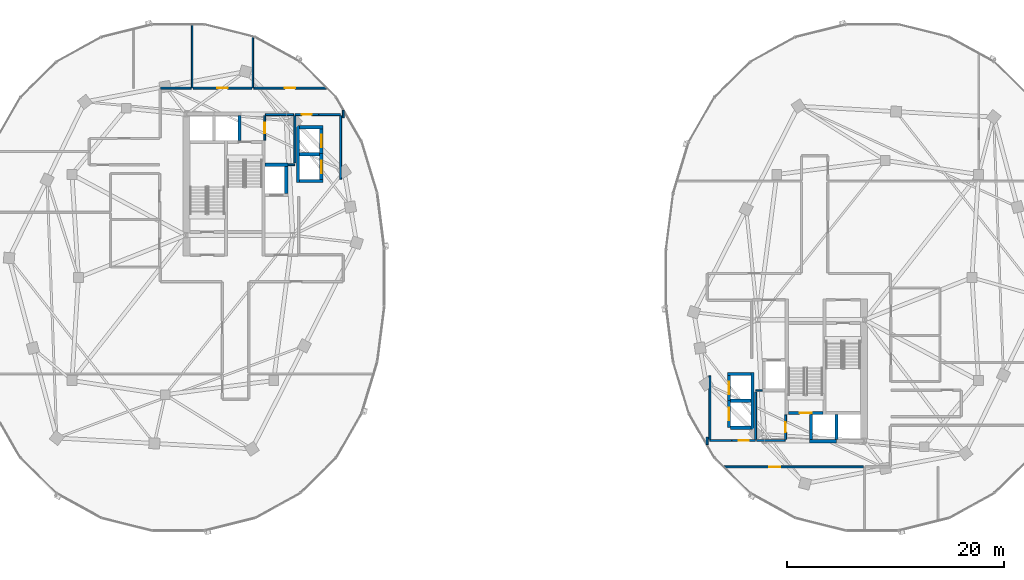
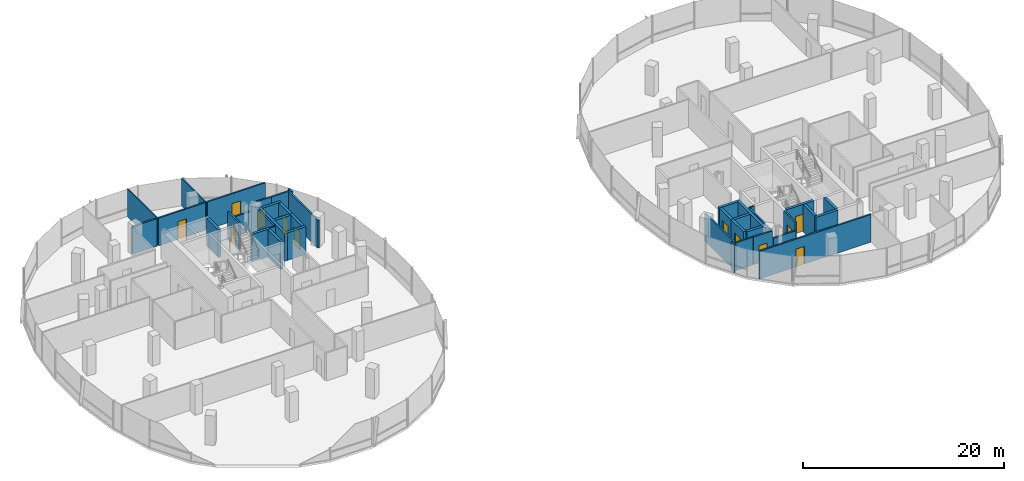
# One storey, part 13 of 22: 41 walls, 12 doors, 12 openings.
"""IFC4 building model written with IfcOpenShell, lengths in metres."""

from ifc_helpers import new_model, si_unit, direction, frame, frame_2d, origin, place, context, subcontext, project, spatial, rectangle, extrude, material, layer, layer_set, type_object, element, fill, save


model = new_model("IFC4")

# Units and contexts
model_context = context("Model", 3, precision=1e-05, world=origin(), true_north=direction((0.0, 1.0)))
body_context = subcontext(model_context, "Body", "Model", "MODEL_VIEW")
ifc_project = project(units=[si_unit("LENGTHUNIT", "METRE"), si_unit("AREAUNIT", "SQUARE_METRE"), si_unit("VOLUMEUNIT", "CUBIC_METRE"), si_unit("PLANEANGLEUNIT", "RADIAN"), si_unit("MASSUNIT", "GRAM", prefix="KILO"), si_unit("THERMODYNAMICTEMPERATUREUNIT", "KELVIN"), si_unit("POWERUNIT", "WATT")], contexts=[model_context])

# Site, building, storey
site_placement = place(None, origin())
site = spatial("IfcSite", under=ifc_project, at=site_placement, CompositionType="ELEMENT")
building_placement = place(site_placement, origin())
building = spatial("IfcBuilding", under=site, at=building_placement, Name="Cundina Bronze Exchange", CompositionType="ELEMENT")
storey_placement = place(building_placement, frame((0.0, 0.0, 158.39990234375)))
storey = spatial("IfcBuildingStorey", under=building, at=storey_placement, Name="L41", CompositionType="ELEMENT", Elevation=158.39990234375)

# Wall
ifc_material_1 = material(Name="Gypsum Fireboard Partition EI120")
ifc_layer_1 = layer(ifc_material_1, 0.179931640625, Name="Gypsum Fireboard Partition EI120")
ifc_layer_set_1 = layer_set([ifc_layer_1], Name="Gypsum Fireboard Partition EI120")
wall_type_1 = type_object("IfcWallType", Name="WL-COR-180", PredefinedType="PARTITIONING", material=ifc_layer_set_1)
wall_1_placement = place(storey_placement, frame((-17.02001953125, 9.070068359375, 0.0), z_axis=(0.0, 0.0, 1.0), x_axis=(0.0, 1.0, 0.0)))
element("IfcWall", 1, at=wall_1_placement, inside=storey, type_object=wall_type_1, Name="L41 Interior Partition 001", PredefinedType="PARTITIONING", context=body_context, shape_type="SweptSolid", body=[
    extrude(rectangle(XDim=5.85986328125, YDim=0.179931640625, at=frame_2d((2.929931640625, 0.0))), origin(), (0.0, 0.0, 1.0), 3.360107421875),
])

# Wall, opening, door
wall_2_placement = place(storey_placement, frame((-21.22998046875, 15.030029296875, 0.0), z_axis=(0.0, 0.0, 1.0), x_axis=(1.0, 0.0, 0.0)))
wall_2 = element("IfcWall", 2, at=wall_2_placement, inside=storey, type_object=wall_type_1, Name="L41 Interior Partition 002", PredefinedType="PARTITIONING", context=body_context, shape_type="SweptSolid", body=[
    extrude(rectangle(XDim=2.159912109375, YDim=0.179931640625, at=frame_2d((1.080078125, 0.0))), origin(), (0.0, 0.0, 1.0), 3.360107421875),
])
opening_1_placement = place(wall_2_placement, frame((0.60498046875, 0.0, 0.0)))
opening_1 = element("IfcOpeningElement", 3, at=opening_1_placement, cuts=wall_2, Name="Opening DW-01", PredefinedType="OPENING", context=body_context, shape_type="SweptSolid", body=[
    extrude(rectangle(XDim=0.949951171875, YDim=2.10009765625, at=frame_2d((0.47509765625, 1.050048828125))), frame((0.0, 0.099853515625, 0.0), z_axis=(0.0, -1.0, 0.0), x_axis=(1.0, 0.0, 0.0)), (0.0, 0.0, 1.0), 0.199951171875),
])
ifc_material_2 = material(Name="Solid Andean Oak Timber Grade A", Category="wood")
door_type_1 = type_object("IfcDoorType", Name="DR-WC-950", OperationType="NOTDEFINED", PredefinedType="DOOR", material=ifc_material_2)
door_1_placement = place(opening_1_placement, origin())
door_1 = element("IfcDoor", 4, at=door_1_placement, inside=storey, type_object=door_type_1, Name="L41 Interior Door 002", OperationType="SINGLE_SWING_LEFT", OverallHeight=2.10009765625, OverallWidth=0.949951171875, PredefinedType="DOOR", context=body_context, shape_type="SweptSolid", body=[
    extrude(rectangle(XDim=0.949951171875, YDim=2.10009765625, at=frame_2d((0.47509765625, 1.050048828125))), frame((0.0, 0.02490234375, 0.0), z_axis=(0.0, -1.0, 0.0), x_axis=(1.0, 0.0, 0.0)), (0.0, 0.0, 1.0), 0.050048828125),
])
fill(opening_1, door_1)

# Walls
wall_3_placement = place(storey_placement, frame((-19.030029296875, 15.030029296875, 0.0), z_axis=(0.0, 0.0, 1.0), x_axis=(1.0, 0.0, 0.0)))
element("IfcWall", 5, at=wall_3_placement, inside=storey, type_object=wall_type_1, Name="L41 Interior Partition 003", PredefinedType="PARTITIONING", context=body_context, shape_type="SweptSolid", body=[
    extrude(rectangle(XDim=1.989990234375, YDim=0.179931640625, at=frame_2d((0.9951171875, 0.0))), origin(), (0.0, 0.0, 1.0), 3.360107421875),
])
wall_4_placement = place(storey_placement, frame((-21.25, 10.570068359375, 0.0), z_axis=(0.0, 0.0, 1.0), x_axis=(0.0, 1.0, 0.0)))
element("IfcWall", 6, at=wall_4_placement, inside=storey, type_object=wall_type_1, Name="L41 Interior Partition 005", PredefinedType="PARTITIONING", context=body_context, shape_type="SweptSolid", body=[
    extrude(rectangle(XDim=4.35986328125, YDim=0.179931640625, at=frame_2d((2.179931640625, 0.0))), origin(), (0.0, 0.0, 1.0), 3.360107421875),
])
wall_5_placement = place(storey_placement, frame((-23.9599609375, 15.030029296875, 0.0), z_axis=(0.0, 0.0, 1.0), x_axis=(1.0, 0.0, 0.0)))
element("IfcWall", 7, at=wall_5_placement, inside=storey, type_object=wall_type_1, Name="L41 Interior Partition 006", PredefinedType="PARTITIONING", context=body_context, shape_type="SweptSolid", body=[
    extrude(rectangle(XDim=2.60986328125, YDim=0.179931640625, at=frame_2d((1.304931640625, 0.0))), origin(), (0.0, 0.0, 1.0), 2.43310546875),
])

# Wall, opening, door
wall_6_placement = place(storey_placement, frame((-24.02001953125, 12.669921875, 0.0), z_axis=(0.0, 0.0, 1.0), x_axis=(0.0, 1.0, 0.0)))
wall_6 = element("IfcWall", 8, at=wall_6_placement, inside=storey, type_object=wall_type_1, Name="L41 Interior Partition 007", PredefinedType="PARTITIONING", context=body_context, shape_type="SweptSolid", body=[
    extrude(rectangle(XDim=2.260009765625, YDim=0.179931640625, at=frame_2d((1.1298828125, 0.0))), origin(), (0.0, 0.0, 1.0), 3.360107421875),
])
opening_2_placement = place(wall_6_placement, frame((0.655029296875, 0.0, 0.0)))
opening_2 = element("IfcOpeningElement", 9, at=opening_2_placement, cuts=wall_6, Name="Opening DW-01", PredefinedType="OPENING", context=body_context, shape_type="SweptSolid", body=[
    extrude(rectangle(XDim=0.949951171875, YDim=2.10009765625, at=frame_2d((0.47509765625, 1.050048828125))), frame((0.0, 0.099853515625, 0.0), z_axis=(0.0, -1.0, 0.0), x_axis=(1.0, 0.0, 0.0)), (0.0, 0.0, 1.0), 0.199951171875),
])
door_2_placement = place(opening_2_placement, origin())
door_2 = element("IfcDoor", 10, at=door_2_placement, inside=storey, type_object=door_type_1, Name="L41 Interior Door 007", OperationType="SINGLE_SWING_LEFT", OverallHeight=2.10009765625, OverallWidth=0.949951171875, PredefinedType="DOOR", context=body_context, shape_type="SweptSolid", body=[
    extrude(rectangle(XDim=0.949951171875, YDim=2.10009765625, at=frame_2d((0.47509765625, 1.050048828125))), frame((0.0, 0.02490234375, 0.0), z_axis=(0.0, -1.0, 0.0), x_axis=(1.0, 0.0, 0.0)), (0.0, 0.0, 1.0), 0.050048828125),
])
fill(opening_2, door_2)

# Walls
wall_7_placement = place(storey_placement, frame((-16.780029296875, 14.721435546875, 0.0), z_axis=(0.0, 0.0, 1.0), x_axis=(0.0, 1.0, 0.0)))
element("IfcWall", 11, at=wall_7_placement, inside=storey, type_object=wall_type_1, Name="L41 Interior Partition 033", PredefinedType="PARTITIONING", context=body_context, shape_type="SweptSolid", body=[
    extrude(rectangle(XDim=0.68359375, YDim=0.179931640625, at=frame_2d((0.341796875, 0.0))), origin(), (0.0, 0.0, 1.0), 3.360107421875),
])
wall_8_placement = place(storey_placement, frame((-30.81005859375, 17.469970703125, 0.0), z_axis=(0.0, 0.0, 1.0), x_axis=(-1.0, 0.0, 0.0)))
element("IfcWall", 12, at=wall_8_placement, inside=storey, type_object=wall_type_1, Name="L41 Interior Partition 038", PredefinedType="PARTITIONING", context=body_context, shape_type="SweptSolid", body=[
    extrude(rectangle(XDim=2.818359375, YDim=0.179931640625, at=frame_2d((1.4091796875, 0.0))), origin(), (0.0, 0.0, 1.0), 3.360107421875),
])

# Wall, opening, door
wall_9_placement = place(storey_placement, frame((-18.341796875, 17.469970703125, 0.0), z_axis=(0.0, 0.0, 1.0), x_axis=(-1.0, 0.0, 0.0)))
wall_9 = element("IfcWall", 13, at=wall_9_placement, inside=storey, type_object=wall_type_1, Name="L41 Interior Partition 040", PredefinedType="PARTITIONING", context=body_context, shape_type="SweptSolid", body=[
    extrude(rectangle(XDim=6.688232421875, YDim=0.179931640625, at=frame_2d((3.34423828125, 0.0))), origin(), (0.0, 0.0, 1.0), 3.360107421875),
])
opening_3_placement = place(wall_9_placement, frame((2.84423828125, 0.0, 0.0)))
opening_3 = element("IfcOpeningElement", 14, at=opening_3_placement, cuts=wall_9, Name="Opening DO-01", PredefinedType="OPENING", context=body_context, shape_type="SweptSolid", body=[
    extrude(rectangle(XDim=1.0, YDim=2.14990234375, at=frame_2d((0.5, 1.074951171875))), frame((0.0, 0.099853515625, 0.0), z_axis=(0.0, -1.0, 0.0), x_axis=(1.0, 0.0, 0.0)), (0.0, 0.0, 1.0), 0.199951171875),
])
door_type_2 = type_object("IfcDoorType", Name="DR-OFF-1000", OperationType="NOTDEFINED", PredefinedType="DOOR", material=ifc_material_2)
door_3_placement = place(opening_3_placement, origin())
door_3 = element("IfcDoor", 15, at=door_3_placement, inside=storey, type_object=door_type_2, Name="L41 Interior Door 040", OperationType="SINGLE_SWING_LEFT", OverallHeight=2.14990234375, OverallWidth=1.0, PredefinedType="DOOR", context=body_context, shape_type="SweptSolid", body=[
    extrude(rectangle(XDim=1.0, YDim=2.14990234375, at=frame_2d((0.5, 1.074951171875))), frame((0.0, 0.02490234375, 0.0), z_axis=(0.0, -1.0, 0.0), x_axis=(1.0, 0.0, 0.0)), (0.0, 0.0, 1.0), 0.050048828125),
])
fill(opening_3, door_3)

wall_10_placement = place(storey_placement, frame((-25.2099609375, 17.469970703125, 0.0), z_axis=(0.0, 0.0, 1.0), x_axis=(-1.0, 0.0, 0.0)))
wall_10 = element("IfcWall", 16, at=wall_10_placement, inside=storey, type_object=wall_type_1, Name="L41 Interior Partition 041", PredefinedType="PARTITIONING", context=body_context, shape_type="SweptSolid", body=[
    extrude(rectangle(XDim=5.419921875, YDim=0.179931640625, at=frame_2d((2.7099609375, 0.0))), origin(), (0.0, 0.0, 1.0), 3.360107421875),
])
opening_4_placement = place(wall_10_placement, frame((2.2099609375, 0.0, 0.0)))
opening_4 = element("IfcOpeningElement", 17, at=opening_4_placement, cuts=wall_10, Name="Opening DO-01", PredefinedType="OPENING", context=body_context, shape_type="SweptSolid", body=[
    extrude(rectangle(XDim=1.0, YDim=2.14990234375, at=frame_2d((0.5, 1.074951171875))), frame((0.0, 0.099853515625, 0.0), z_axis=(0.0, -1.0, 0.0), x_axis=(1.0, 0.0, 0.0)), (0.0, 0.0, 1.0), 0.199951171875),
])
door_4_placement = place(opening_4_placement, origin())
door_4 = element("IfcDoor", 18, at=door_4_placement, inside=storey, type_object=door_type_2, Name="L41 Interior Door 041", OperationType="SINGLE_SWING_LEFT", OverallHeight=2.14990234375, OverallWidth=1.0, PredefinedType="DOOR", context=body_context, shape_type="SweptSolid", body=[
    extrude(rectangle(XDim=1.0, YDim=2.14990234375, at=frame_2d((0.5, 1.074951171875))), frame((0.0, 0.02490234375, 0.0), z_axis=(0.0, -1.0, 0.0), x_axis=(1.0, 0.0, 0.0)), (0.0, 0.0, 1.0), 0.050048828125),
])
fill(opening_4, door_4)

# Walls
wall_11_placement = place(storey_placement, frame((17.02001953125, -14.929931640625, 0.0), z_axis=(0.0, 0.0, 1.0), x_axis=(0.0, 1.0, 0.0)))
element("IfcWall", 19, at=wall_11_placement, inside=storey, type_object=wall_type_1, Name="L41 Interior Partition 042", PredefinedType="PARTITIONING", context=body_context, shape_type="SweptSolid", body=[
    extrude(rectangle(XDim=5.85986328125, YDim=0.179931640625, at=frame_2d((2.929931640625, 0.0))), origin(), (0.0, 0.0, 1.0), 3.360107421875),
])
wall_12_placement = place(storey_placement, frame((17.0400390625, -15.030029296875, 0.0), z_axis=(0.0, 0.0, 1.0), x_axis=(1.0, 0.0, 0.0)))
element("IfcWall", 20, at=wall_12_placement, inside=storey, type_object=wall_type_1, Name="L41 Interior Partition 043", PredefinedType="PARTITIONING", context=body_context, shape_type="SweptSolid", body=[
    extrude(rectangle(XDim=1.989990234375, YDim=0.179931640625, at=frame_2d((0.9951171875, 0.0))), origin(), (0.0, 0.0, 1.0), 3.360107421875),
])

# Wall, opening, door
wall_13_placement = place(storey_placement, frame((21.22998046875, -15.030029296875, 0.0), z_axis=(0.0, 0.0, 1.0), x_axis=(-1.0, 0.0, 0.0)))
wall_13 = element("IfcWall", 21, at=wall_13_placement, inside=storey, type_object=wall_type_1, Name="L41 Interior Partition 044", PredefinedType="PARTITIONING", context=body_context, shape_type="SweptSolid", body=[
    extrude(rectangle(XDim=2.159912109375, YDim=0.179931640625, at=frame_2d((1.080078125, 0.0))), origin(), (0.0, 0.0, 1.0), 3.360107421875),
])
opening_5_placement = place(wall_13_placement, frame((0.60498046875, 0.0, 0.0)))
opening_5 = element("IfcOpeningElement", 22, at=opening_5_placement, cuts=wall_13, Name="Opening DW-01", PredefinedType="OPENING", context=body_context, shape_type="SweptSolid", body=[
    extrude(rectangle(XDim=0.949951171875, YDim=2.10009765625, at=frame_2d((0.47509765625, 1.050048828125))), frame((0.0, 0.099853515625, 0.0), z_axis=(0.0, -1.0, 0.0), x_axis=(1.0, 0.0, 0.0)), (0.0, 0.0, 1.0), 0.199951171875),
])
door_5_placement = place(opening_5_placement, origin())
door_5 = element("IfcDoor", 23, at=door_5_placement, inside=storey, type_object=door_type_1, Name="L41 Interior Door 044", OperationType="SINGLE_SWING_RIGHT", OverallHeight=2.10009765625, OverallWidth=0.949951171875, PredefinedType="DOOR", context=body_context, shape_type="SweptSolid", body=[
    extrude(rectangle(XDim=0.949951171875, YDim=2.10009765625, at=frame_2d((0.47509765625, 1.050048828125))), frame((0.0, 0.02490234375, 0.0), z_axis=(0.0, -1.0, 0.0), x_axis=(1.0, 0.0, 0.0)), (0.0, 0.0, 1.0), 0.050048828125),
])
fill(opening_5, door_5)

# Walls
wall_14_placement = place(storey_placement, frame((21.25, -14.929931640625, 0.0), z_axis=(0.0, 0.0, 1.0), x_axis=(0.0, 1.0, 0.0)))
element("IfcWall", 24, at=wall_14_placement, inside=storey, type_object=wall_type_1, Name="L41 Interior Partition 046", PredefinedType="PARTITIONING", context=body_context, shape_type="SweptSolid", body=[
    extrude(rectangle(XDim=4.35986328125, YDim=0.179931640625, at=frame_2d((2.179931640625, 0.0))), origin(), (0.0, 0.0, 1.0), 3.360107421875),
])
wall_15_placement = place(storey_placement, frame((21.35009765625, -15.030029296875, 0.0), z_axis=(0.0, 0.0, 1.0), x_axis=(1.0, 0.0, 0.0)))
element("IfcWall", 25, at=wall_15_placement, inside=storey, type_object=wall_type_1, Name="L41 Interior Partition 047", PredefinedType="PARTITIONING", context=body_context, shape_type="SweptSolid", body=[
    extrude(rectangle(XDim=2.60986328125, YDim=0.179931640625, at=frame_2d((1.304931640625, 0.0))), origin(), (0.0, 0.0, 1.0), 2.43310546875),
])

# Wall, opening, door
wall_16_placement = place(storey_placement, frame((24.02001953125, -14.929931640625, 0.0), z_axis=(0.0, 0.0, 1.0), x_axis=(0.0, 1.0, 0.0)))
wall_16 = element("IfcWall", 26, at=wall_16_placement, inside=storey, type_object=wall_type_1, Name="L41 Interior Partition 048", PredefinedType="PARTITIONING", context=body_context, shape_type="SweptSolid", body=[
    extrude(rectangle(XDim=2.260009765625, YDim=0.179931640625, at=frame_2d((1.1298828125, 0.0))), origin(), (0.0, 0.0, 1.0), 3.360107421875),
])
opening_6_placement = place(wall_16_placement, frame((0.655029296875, 0.0, 0.0)))
opening_6 = element("IfcOpeningElement", 27, at=opening_6_placement, cuts=wall_16, Name="Opening DW-01", PredefinedType="OPENING", context=body_context, shape_type="SweptSolid", body=[
    extrude(rectangle(XDim=0.949951171875, YDim=2.10009765625, at=frame_2d((0.47509765625, 1.050048828125))), frame((0.0, 0.099853515625, 0.0), z_axis=(0.0, -1.0, 0.0), x_axis=(1.0, 0.0, 0.0)), (0.0, 0.0, 1.0), 0.199951171875),
])
door_6_placement = place(opening_6_placement, origin())
door_6 = element("IfcDoor", 28, at=door_6_placement, inside=storey, type_object=door_type_1, Name="L41 Interior Door 048", OperationType="SINGLE_SWING_RIGHT", OverallHeight=2.10009765625, OverallWidth=0.949951171875, PredefinedType="DOOR", context=body_context, shape_type="SweptSolid", body=[
    extrude(rectangle(XDim=0.949951171875, YDim=2.10009765625, at=frame_2d((0.47509765625, 1.050048828125))), frame((0.0, 0.02490234375, 0.0), z_axis=(0.0, -1.0, 0.0), x_axis=(1.0, 0.0, 0.0)), (0.0, 0.0, 1.0), 0.050048828125),
])
fill(opening_6, door_6)

wall_17_placement = place(storey_placement, frame((18.341796875, -17.469970703125, 0.0), z_axis=(0.0, 0.0, 1.0), x_axis=(1.0, 0.0, 0.0)))
wall_17 = element("IfcWall", 29, at=wall_17_placement, inside=storey, type_object=wall_type_1, Name="L41 Interior Partition 064", PredefinedType="PARTITIONING", context=body_context, shape_type="SweptSolid", body=[
    extrude(rectangle(XDim=12.84814453125, YDim=0.179931640625, at=frame_2d((6.424072265625, 0.0))), origin(), (0.0, 0.0, 1.0), 3.360107421875),
])
opening_7_placement = place(wall_17_placement, frame((4.182861328125, 0.0, 0.0)))
opening_7 = element("IfcOpeningElement", 30, at=opening_7_placement, cuts=wall_17, Name="Opening DO-01", PredefinedType="OPENING", context=body_context, shape_type="SweptSolid", body=[
    extrude(rectangle(XDim=1.0, YDim=2.14990234375, at=frame_2d((0.5, 1.074951171875))), frame((0.0, 0.099853515625, 0.0), z_axis=(0.0, -1.0, 0.0), x_axis=(1.0, 0.0, 0.0)), (0.0, 0.0, 1.0), 0.199951171875),
])
door_7_placement = place(opening_7_placement, origin())
door_7 = element("IfcDoor", 31, at=door_7_placement, inside=storey, type_object=door_type_2, Name="L41 Interior Door 064", OperationType="SINGLE_SWING_LEFT", OverallHeight=2.14990234375, OverallWidth=1.0, PredefinedType="DOOR", context=body_context, shape_type="SweptSolid", body=[
    extrude(rectangle(XDim=1.0, YDim=2.14990234375, at=frame_2d((0.5, 1.074951171875))), frame((0.0, 0.02490234375, 0.0), z_axis=(0.0, -1.0, 0.0), x_axis=(1.0, 0.0, 0.0)), (0.0, 0.0, 1.0), 0.050048828125),
])
fill(opening_7, door_7)

# Walls
wall_18_placement = place(storey_placement, frame((16.780029296875, -14.721435546875, 0.0), z_axis=(0.0, 0.0, 1.0), x_axis=(0.0, -1.0, 0.0)))
element("IfcWall", 32, at=wall_18_placement, inside=storey, type_object=wall_type_1, Name="L41 Interior Partition 074", PredefinedType="PARTITIONING", context=body_context, shape_type="SweptSolid", body=[
    extrude(rectangle(XDim=0.68359375, YDim=0.179931640625, at=frame_2d((0.341796875, 0.0))), origin(), (0.0, 0.0, 1.0), 3.360107421875),
])
ifc_material_3 = material(Name="Gypsum Acoustic Partition EI60")
ifc_layer_2 = layer(ifc_material_3, 0.125, Name="Gypsum Acoustic Partition EI60")
ifc_layer_set_2 = layer_set([ifc_layer_2], Name="Gypsum Acoustic Partition EI60")
wall_type_2 = type_object("IfcWallType", Name="WL-OFF-125", PredefinedType="PARTITIONING", material=ifc_layer_set_2)
wall_19_placement = place(storey_placement, frame((-30.719970703125, 17.5, 0.0), z_axis=(0.0, 0.0, 1.0), x_axis=(0.0, 1.0, 0.0)))
element("IfcWall", 33, at=wall_19_placement, inside=storey, type_object=wall_type_2, Name="L41 Interior Partition 021", PredefinedType="PARTITIONING", context=body_context, shape_type="SweptSolid", body=[
    extrude(rectangle(XDim=5.902099609375, YDim=0.125, at=frame_2d((2.951171875, 0.0))), origin(), (0.0, 0.0, 1.0), 3.360107421875),
])
wall_20_placement = place(storey_placement, frame((-25.1201171875, 17.5, 0.0), z_axis=(0.0, 0.0, 1.0), x_axis=(0.0, 1.0, 0.0)))
element("IfcWall", 34, at=wall_20_placement, inside=storey, type_object=wall_type_2, Name="L41 Interior Partition 022", PredefinedType="PARTITIONING", context=body_context, shape_type="SweptSolid", body=[
    extrude(rectangle(XDim=4.791015625, YDim=0.125, at=frame_2d((2.3955078125, 0.0))), origin(), (0.0, 0.0, 1.0), 3.360107421875),
])
ifc_material_4 = material(Name="Concrete C50/60", Category="concrete")
ifc_layer_3 = layer(ifc_material_4, 0.300048828125, Name="Concrete C50/60", Category="concrete")
ifc_layer_set_3 = layer_set([ifc_layer_3], Name="Concrete C50/60")
wall_type_3 = type_object("IfcWallType", Name="WL-SHFT-300", PredefinedType="SHEAR", material=ifc_layer_set_3)
wall_21_placement = place(storey_placement, frame((-23.97998046875, 10.39990234375, 0.0), z_axis=(0.0, 0.0, 1.0), x_axis=(1.0, 0.0, 0.0)))
element("IfcWall", 35, at=wall_21_placement, inside=storey, type_object=wall_type_3, Name="L41 FFL-W Hoistway Back Wall", PredefinedType="SHEAR", context=body_context, shape_type="SweptSolid", body=[
    extrude(rectangle(XDim=2.10009765625, YDim=0.300048828125, at=frame_2d((1.050048828125, 0.0))), origin(), (0.0, 0.0, 1.0), 3.360107421875),
])
wall_22_placement = place(storey_placement, frame((-22.030029296875, 7.75, 0.0), z_axis=(0.0, 0.0, 1.0), x_axis=(0.0, 1.0, 0.0)))
element("IfcWall", 36, at=wall_22_placement, inside=storey, type_object=wall_type_3, Name="L41 FFL-W Hoistway Side Wall", PredefinedType="SHEAR", context=body_context, shape_type="SweptSolid", body=[
    extrude(rectangle(XDim=2.5, YDim=0.300048828125, at=frame_2d((1.25, 0.0))), origin(), (0.0, 0.0, 1.0), 3.360107421875),
])
wall_23_placement = place(storey_placement, frame((-26.35009765625, 12.64990234375, 0.0), z_axis=(0.0, 0.0, 1.0), x_axis=(0.0, 1.0, 0.0)))
element("IfcWall", 37, at=wall_23_placement, inside=storey, type_object=wall_type_3, Name="L41 PH-W2 Hoistway Divider Wall", PredefinedType="SHEAR", context=body_context, shape_type="SweptSolid", body=[
    extrude(rectangle(XDim=2.300048828125, YDim=0.300048828125, at=frame_2d((1.14990234375, 0.0))), origin(), (0.0, 0.0, 1.0), 3.360107421875),
])
wall_24_placement = place(storey_placement, frame((-20.949951171875, 8.75, 0.0), z_axis=(0.0, 0.0, 1.0), x_axis=(0.0, 1.0, 0.0)))
element("IfcWall", 38, at=wall_24_placement, inside=storey, type_object=wall_type_3, Name="L41 W Passenger Bank Hoistway Back Wall", PredefinedType="SHEAR", context=body_context, shape_type="SweptSolid", body=[
    extrude(rectangle(XDim=5.25, YDim=0.300048828125, at=frame_2d((2.625, 0.0))), origin(), (0.0, 0.0, 1.0), 3.360107421875),
])
for number, where, z_axis, x_axis, name in (
    (39, (-20.800048828125, 8.89990234375, 0.0), (0.0, 0.0, 1.0), (1.0, 0.0, 0.0), "L41 W Passenger Bank South Cap Wall"),
    (40, (-20.800048828125, 13.85009765625, 0.0), (0.0, 0.0, 1.0), (1.0, 0.0, 0.0), "L41 W Passenger Bank North Cap Wall"),
):
    element("IfcWall", number, at=place(storey_placement, frame(where, z_axis=z_axis, x_axis=x_axis)), inside=storey, type_object=wall_type_3, Name=name, PredefinedType="SHEAR", context=body_context, shape_type="SweptSolid", body=[
        extrude(rectangle(XDim=2.150146484375, YDim=0.300048828125, at=frame_2d((1.0751953125, 0.0))), origin(), (0.0, 0.0, 1.0), 3.360107421875),
    ])
wall_25_placement = place(storey_placement, frame((-20.800048828125, 11.375, 0.0), z_axis=(0.0, 0.0, 1.0), x_axis=(1.0, 0.0, 0.0)))
element("IfcWall", 41, at=wall_25_placement, inside=storey, type_object=wall_type_3, Name="L41 W Passenger Hoistway Divider 1", PredefinedType="SHEAR", context=body_context, shape_type="SweptSolid", body=[
    extrude(rectangle(XDim=1.85009765625, YDim=0.300048828125, at=frame_2d((0.925048828125, 0.0))), origin(), (0.0, 0.0, 1.0), 3.360107421875),
])

# Wall, opening, door
wall_26_placement = place(storey_placement, frame((-18.800048828125, 8.929931640625, 0.0), z_axis=(0.0, 0.0, 1.0), x_axis=(0.0, 1.0, 0.0)))
wall_26 = element("IfcWall", 42, at=wall_26_placement, inside=storey, type_object=wall_type_3, Name="L41 PM-W2 Hoistway Front Wall", PredefinedType="SHEAR", context=body_context, shape_type="SweptSolid", body=[
    extrude(rectangle(XDim=2.489990234375, YDim=0.300048828125, at=frame_2d((1.2451171875, 0.0))), origin(), (0.0, 0.0, 1.0), 3.360107421875),
])
opening_8_placement = place(wall_26_placement, frame((0.669921875, 0.0, 0.0)))
opening_8 = element("IfcOpeningElement", 43, at=opening_8_placement, cuts=wall_26, Name="Opening LD-01", PredefinedType="OPENING", context=body_context, shape_type="SweptSolid", body=[
    extrude(rectangle(XDim=1.14990234375, YDim=2.199951171875, at=frame_2d((0.574951171875, 1.10009765625))), frame((0.0, 0.159912109375, 0.0), z_axis=(0.0, -1.0, 0.0), x_axis=(1.0, 0.0, 0.0)), (0.0, 0.0, 1.0), 0.320068359375),
])
ifc_material_5 = material(Name="Steel ASTM A36 Painted", Category="steel")
door_type_3 = type_object("IfcDoorType", Name="DR-LND-1150", OperationType="NOTDEFINED", PredefinedType="TRAPDOOR", material=ifc_material_5)
door_8_placement = place(opening_8_placement, origin())
door_8 = element("IfcDoor", 44, at=door_8_placement, inside=storey, type_object=door_type_3, Name="L41 PM-W2 Sliding Landing Door", OperationType="SLIDING_TO_LEFT", OverallHeight=2.199951171875, OverallWidth=1.14990234375, PredefinedType="TRAPDOOR", context=body_context, shape_type="SweptSolid", body=[
    extrude(rectangle(XDim=1.14990234375, YDim=2.199951171875, at=frame_2d((0.574951171875, 1.10009765625))), frame((0.0, 0.02490234375, 0.0), z_axis=(0.0, -1.0, 0.0), x_axis=(1.0, 0.0, 0.0)), (0.0, 0.0, 1.0), 0.050048828125),
])
fill(opening_8, door_8)

wall_27_placement = place(storey_placement, frame((-18.800048828125, 11.330078125, 0.0), z_axis=(0.0, 0.0, 1.0), x_axis=(0.0, 1.0, 0.0)))
wall_27 = element("IfcWall", 45, at=wall_27_placement, inside=storey, type_object=wall_type_3, Name="L41 PM-W1 Hoistway Front Wall", PredefinedType="SHEAR", context=body_context, shape_type="SweptSolid", body=[
    extrude(rectangle(XDim=2.489990234375, YDim=0.300048828125, at=frame_2d((1.2451171875, 0.0))), origin(), (0.0, 0.0, 1.0), 3.360107421875),
])
opening_9_placement = place(wall_27_placement, frame((0.669921875, 0.0, 0.0)))
opening_9 = element("IfcOpeningElement", 46, at=opening_9_placement, cuts=wall_27, Name="Opening LD-01", PredefinedType="OPENING", context=body_context, shape_type="SweptSolid", body=[
    extrude(rectangle(XDim=1.14990234375, YDim=2.199951171875, at=frame_2d((0.574951171875, 1.10009765625))), frame((0.0, 0.159912109375, 0.0), z_axis=(0.0, -1.0, 0.0), x_axis=(1.0, 0.0, 0.0)), (0.0, 0.0, 1.0), 0.320068359375),
])
door_9_placement = place(opening_9_placement, origin())
door_9 = element("IfcDoor", 47, at=door_9_placement, inside=storey, type_object=door_type_3, Name="L41 PM-W1 Sliding Landing Door", OperationType="SLIDING_TO_LEFT", OverallHeight=2.199951171875, OverallWidth=1.14990234375, PredefinedType="TRAPDOOR", context=body_context, shape_type="SweptSolid", body=[
    extrude(rectangle(XDim=1.14990234375, YDim=2.199951171875, at=frame_2d((0.574951171875, 1.10009765625))), frame((0.0, 0.02490234375, 0.0), z_axis=(0.0, -1.0, 0.0), x_axis=(1.0, 0.0, 0.0)), (0.0, 0.0, 1.0), 0.050048828125),
])
fill(opening_9, door_9)

wall_28_placement = place(storey_placement, frame((24.280029296875, -12.5, 0.0), z_axis=(0.0, 0.0, 1.0), x_axis=(1.0, 0.0, 0.0)))
wall_28 = element("IfcWall", 48, at=wall_28_placement, inside=storey, type_object=wall_type_3, Name="L41 Stair E2 Landing Wall", PredefinedType="SHEAR", context=body_context, shape_type="SweptSolid", body=[
    extrude(rectangle(XDim=3.159912109375, YDim=0.300048828125, at=frame_2d((1.580078125, 0.0))), origin(), (0.0, 0.0, 1.0), 3.360107421875),
])
opening_10_placement = place(wall_28_placement, frame((1.030029296875, 0.0, 0.0)))
opening_10 = element("IfcOpeningElement", 49, at=opening_10_placement, cuts=wall_28, Name="Opening DS-01", PredefinedType="OPENING", context=body_context, shape_type="SweptSolid", body=[
    extrude(rectangle(XDim=1.10009765625, YDim=2.14990234375, at=frame_2d((0.550048828125, 1.074951171875))), frame((0.0, 0.159912109375, 0.0), z_axis=(0.0, -1.0, 0.0), x_axis=(1.0, 0.0, 0.0)), (0.0, 0.0, 1.0), 0.320068359375),
])
door_type_4 = type_object("IfcDoorType", Name="DR-STR-1100", OperationType="NOTDEFINED", PredefinedType="DOOR", material=ifc_material_5)
door_10_placement = place(opening_10_placement, origin())
door_10 = element("IfcDoor", 50, at=door_10_placement, inside=storey, type_object=door_type_4, Name="L41 Smokeproof Stair E2 Door", OperationType="SINGLE_SWING_RIGHT", OverallHeight=2.14990234375, OverallWidth=1.10009765625, PredefinedType="DOOR", context=body_context, shape_type="SweptSolid", body=[
    extrude(rectangle(XDim=1.10009765625, YDim=2.14990234375, at=frame_2d((0.550048828125, 1.074951171875))), frame((0.0, 0.02490234375, 0.0), z_axis=(0.0, -1.0, 0.0), x_axis=(1.0, 0.0, 0.0)), (0.0, 0.0, 1.0), 0.050048828125),
])
fill(opening_10, door_10)

# Walls
wall_29_placement = place(storey_placement, frame((28.699951171875, -14.949951171875, 0.0), z_axis=(0.0, 0.0, 1.0), x_axis=(0.0, 1.0, 0.0)))
element("IfcWall", 51, at=wall_29_placement, inside=storey, type_object=wall_type_3, Name="L41 PH-E1 Hoistway Divider Wall", PredefinedType="SHEAR", context=body_context, shape_type="SweptSolid", body=[
    extrude(rectangle(XDim=2.300048828125, YDim=0.300048828125, at=frame_2d((1.14990234375, 0.0))), origin(), (0.0, 0.0, 1.0), 3.360107421875),
])
wall_30_placement = place(storey_placement, frame((26.199951171875, -15.10009765625, 0.0), z_axis=(0.0, 0.0, 1.0), x_axis=(1.0, 0.0, 0.0)))
element("IfcWall", 52, at=wall_30_placement, inside=storey, type_object=wall_type_3, Name="L41 PH-E2 Hoistway Front Wall", PredefinedType="SHEAR", context=body_context, shape_type="SweptSolid", body=[
    extrude(rectangle(XDim=2.5, YDim=0.300048828125, at=frame_2d((1.25, 0.0))), origin(), (0.0, 0.0, 1.0), 3.360107421875),
])
wall_31_placement = place(storey_placement, frame((26.35009765625, -14.949951171875, 0.0), z_axis=(0.0, 0.0, 1.0), x_axis=(0.0, 1.0, 0.0)))
element("IfcWall", 53, at=wall_31_placement, inside=storey, type_object=wall_type_3, Name="L41 PH-E2 Hoistway Divider Wall", PredefinedType="SHEAR", context=body_context, shape_type="SweptSolid", body=[
    extrude(rectangle(XDim=2.300048828125, YDim=0.300048828125, at=frame_2d((1.14990234375, 0.0))), origin(), (0.0, 0.0, 1.0), 3.360107421875),
])
wall_32_placement = place(storey_placement, frame((20.949951171875, -14.0, 0.0), z_axis=(0.0, 0.0, 1.0), x_axis=(0.0, 1.0, 0.0)))
element("IfcWall", 54, at=wall_32_placement, inside=storey, type_object=wall_type_3, Name="L41 E Passenger Bank Hoistway Back Wall", PredefinedType="SHEAR", context=body_context, shape_type="SweptSolid", body=[
    extrude(rectangle(XDim=5.25, YDim=0.300048828125, at=frame_2d((2.625, 0.0))), origin(), (0.0, 0.0, 1.0), 3.360107421875),
])
wall_33_placement = place(storey_placement, frame((18.949951171875, -13.85009765625, 0.0), z_axis=(0.0, 0.0, 1.0), x_axis=(1.0, 0.0, 0.0)))
element("IfcWall", 55, at=wall_33_placement, inside=storey, type_object=wall_type_3, Name="L41 E Passenger Bank South Cap Wall", PredefinedType="SHEAR", context=body_context, shape_type="SweptSolid", body=[
    extrude(rectangle(XDim=1.85009765625, YDim=0.300048828125, at=frame_2d((0.925048828125, 0.0))), origin(), (0.0, 0.0, 1.0), 3.360107421875),
])
wall_34_placement = place(storey_placement, frame((18.64990234375, -8.89990234375, 0.0), z_axis=(0.0, 0.0, 1.0), x_axis=(1.0, 0.0, 0.0)))
element("IfcWall", 56, at=wall_34_placement, inside=storey, type_object=wall_type_3, Name="L41 E Passenger Bank North Cap Wall", PredefinedType="SHEAR", context=body_context, shape_type="SweptSolid", body=[
    extrude(rectangle(XDim=2.150146484375, YDim=0.300048828125, at=frame_2d((1.0751953125, 0.0))), origin(), (0.0, 0.0, 1.0), 3.360107421875),
])
wall_35_placement = place(storey_placement, frame((18.949951171875, -11.375, 0.0), z_axis=(0.0, 0.0, 1.0), x_axis=(1.0, 0.0, 0.0)))
element("IfcWall", 57, at=wall_35_placement, inside=storey, type_object=wall_type_3, Name="L41 E Passenger Hoistway Divider 1", PredefinedType="SHEAR", context=body_context, shape_type="SweptSolid", body=[
    extrude(rectangle(XDim=1.85009765625, YDim=0.300048828125, at=frame_2d((0.925048828125, 0.0))), origin(), (0.0, 0.0, 1.0), 3.360107421875),
])

# Wall, opening, door
wall_36_placement = place(storey_placement, frame((18.800048828125, -13.820068359375, 0.0), z_axis=(0.0, 0.0, 1.0), x_axis=(0.0, 1.0, 0.0)))
wall_36 = element("IfcWall", 58, at=wall_36_placement, inside=storey, type_object=wall_type_3, Name="L41 PM-E1 Hoistway Front Wall", PredefinedType="SHEAR", context=body_context, shape_type="SweptSolid", body=[
    extrude(rectangle(XDim=2.489990234375, YDim=0.300048828125, at=frame_2d((1.2451171875, 0.0))), origin(), (0.0, 0.0, 1.0), 3.360107421875),
])
opening_11_placement = place(wall_36_placement, frame((0.669921875, 0.0, 0.0)))
opening_11 = element("IfcOpeningElement", 59, at=opening_11_placement, cuts=wall_36, Name="Opening LD-01", PredefinedType="OPENING", context=body_context, shape_type="SweptSolid", body=[
    extrude(rectangle(XDim=1.14990234375, YDim=2.199951171875, at=frame_2d((0.574951171875, 1.10009765625))), frame((0.0, 0.159912109375, 0.0), z_axis=(0.0, -1.0, 0.0), x_axis=(1.0, 0.0, 0.0)), (0.0, 0.0, 1.0), 0.320068359375),
])
door_11_placement = place(opening_11_placement, origin())
door_11 = element("IfcDoor", 60, at=door_11_placement, inside=storey, type_object=door_type_3, Name="L41 PM-E1 Sliding Landing Door", OperationType="SLIDING_TO_LEFT", OverallHeight=2.199951171875, OverallWidth=1.14990234375, PredefinedType="TRAPDOOR", context=body_context, shape_type="SweptSolid", body=[
    extrude(rectangle(XDim=1.14990234375, YDim=2.199951171875, at=frame_2d((0.574951171875, 1.10009765625))), frame((0.0, 0.02490234375, 0.0), z_axis=(0.0, -1.0, 0.0), x_axis=(1.0, 0.0, 0.0)), (0.0, 0.0, 1.0), 0.050048828125),
])
fill(opening_11, door_11)

wall_37_placement = place(storey_placement, frame((18.800048828125, -11.419921875, 0.0), z_axis=(0.0, 0.0, 1.0), x_axis=(0.0, 1.0, 0.0)))
wall_37 = element("IfcWall", 61, at=wall_37_placement, inside=storey, type_object=wall_type_3, Name="L41 PM-E2 Hoistway Front Wall", PredefinedType="SHEAR", context=body_context, shape_type="SweptSolid", body=[
    extrude(rectangle(XDim=2.489990234375, YDim=0.300048828125, at=frame_2d((1.2451171875, 0.0))), origin(), (0.0, 0.0, 1.0), 3.360107421875),
])
opening_12_placement = place(wall_37_placement, frame((0.669921875, 0.0, 0.0)))
opening_12 = element("IfcOpeningElement", 62, at=opening_12_placement, cuts=wall_37, Name="Opening LD-01", PredefinedType="OPENING", context=body_context, shape_type="SweptSolid", body=[
    extrude(rectangle(XDim=1.14990234375, YDim=2.199951171875, at=frame_2d((0.574951171875, 1.10009765625))), frame((0.0, 0.159912109375, 0.0), z_axis=(0.0, -1.0, 0.0), x_axis=(1.0, 0.0, 0.0)), (0.0, 0.0, 1.0), 0.320068359375),
])
door_12_placement = place(opening_12_placement, origin())
door_12 = element("IfcDoor", 63, at=door_12_placement, inside=storey, type_object=door_type_3, Name="L41 PM-E2 Sliding Landing Door", OperationType="SLIDING_TO_LEFT", OverallHeight=2.199951171875, OverallWidth=1.14990234375, PredefinedType="TRAPDOOR", context=body_context, shape_type="SweptSolid", body=[
    extrude(rectangle(XDim=1.14990234375, YDim=2.199951171875, at=frame_2d((0.574951171875, 1.10009765625))), frame((0.0, 0.02490234375, 0.0), z_axis=(0.0, -1.0, 0.0), x_axis=(1.0, 0.0, 0.0)), (0.0, 0.0, 1.0), 0.050048828125),
])
fill(opening_12, door_12)

# Walls
ifc_material_6 = material(Name="Moisture-Resistant Masonry Block Grade M15", Category="masonry")
ifc_layer_4 = layer(ifc_material_6, 0.139892578125, Name="Moisture-Resistant Masonry Block Grade M15", Category="masonry")
ifc_layer_set_4 = layer_set([ifc_layer_4], Name="Moisture-Resistant Masonry Block Grade M15")
wall_type_4 = type_object("IfcWallType", Name="WL-WET-140", PredefinedType="PARTITIONING", material=ifc_layer_set_4)
for number, where, z_axis, x_axis, name in (
    (64, (-21.860107421875, 10.39990234375, 0.0), (0.0, 0.0, 1.0), (1.0, 0.0, 0.0), "L41 Interior Partition 004"),
    (65, (21.27001953125, -10.39990234375, 0.0), (0.0, 0.0, 1.0), (1.0, 0.0, 0.0), "L41 Interior Partition 045"),
):
    element("IfcWall", number, at=place(storey_placement, frame(where, z_axis=z_axis, x_axis=x_axis)), inside=storey, type_object=wall_type_4, Name=name, PredefinedType="PARTITIONING", context=body_context, shape_type="SweptSolid", body=[
        extrude(rectangle(XDim=0.590087890625, YDim=0.139892578125, at=frame_2d((0.294921875, 0.0))), origin(), (0.0, 0.0, 1.0), 3.360107421875),
    ])

save(model, "model.ifc")
